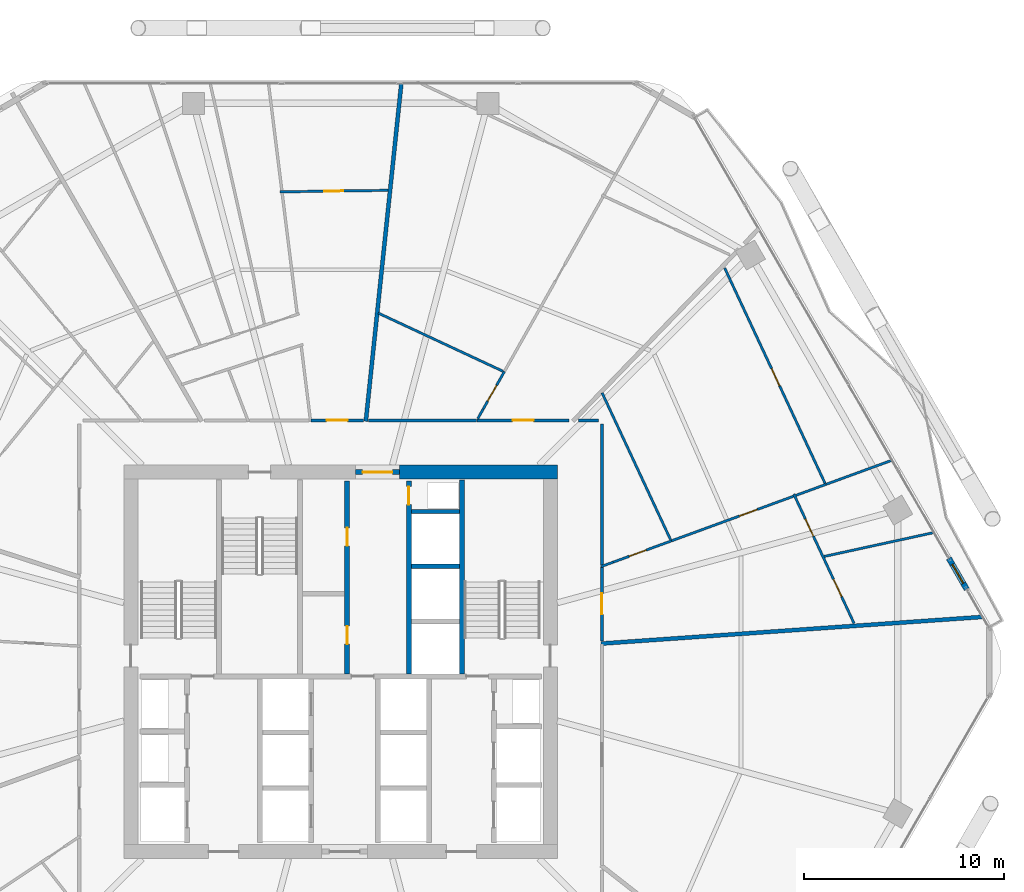
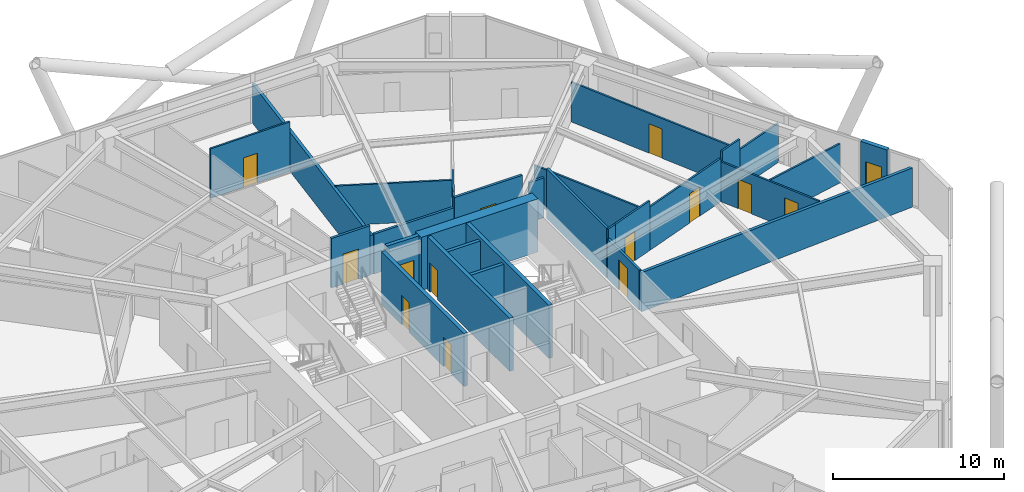
# One storey, part 30 of 34: 29 walls, 15 doors, 15 openings.
"""IFC4 building model written with IfcOpenShell, lengths in metres."""

from ifc_helpers import new_model, si_unit, direction, frame, frame_2d, origin, place, context, subcontext, project, spatial, rectangle, extrude, material, layer, layer_set, type_object, element, fill, save


model = new_model("IFC4")

# Units and contexts
model_context = context("Model", 3, precision=1e-05, world=origin(), true_north=direction((0.0, 1.0)))
body_context = subcontext(model_context, "Body", "Model", "MODEL_VIEW")
ifc_project = project(units=[si_unit("LENGTHUNIT", "METRE"), si_unit("AREAUNIT", "SQUARE_METRE"), si_unit("VOLUMEUNIT", "CUBIC_METRE"), si_unit("PLANEANGLEUNIT", "RADIAN"), si_unit("MASSUNIT", "GRAM", prefix="KILO")], contexts=[model_context])

# Site, building, storey
site_placement = place(None, origin())
site = spatial("IfcSite", under=ifc_project, at=site_placement, CompositionType="ELEMENT")
building_placement = place(site_placement, origin())
building = spatial("IfcBuilding", under=site, at=building_placement, Name="Zuhravey Tower", CompositionType="ELEMENT")
storey_placement = place(building_placement, frame((0.0, 0.0, 100.0)))
storey = spatial("IfcBuildingStorey", under=building, at=storey_placement, Name="L24", CompositionType="ELEMENT", Elevation=100.0)

# Wall
ifc_material_1 = material(Name="Concrete C60/75", Category="concrete")
ifc_layer_1 = layer(ifc_material_1, 0.699951171875)
ifc_layer_set_1 = layer_set([ifc_layer_1], Name="Concrete C60/75")
wall_type_1 = type_object("IfcWallType", Name="Core Shear Wall 700", PredefinedType="SHEAR", material=ifc_layer_set_1)
wall_1_placement = place(storey_placement, frame((46.85009765625, 41.5, 0.0), z_axis=(0.0, 0.0, 1.0), x_axis=(-1.0, 0.0, 0.0)))
element("IfcWall", 1, at=wall_1_placement, inside=storey, type_object=wall_type_1, Name="L24 North-East Core Shear Wall CW70", PredefinedType="SHEAR", context=body_context, shape_type="SweptSolid", body=[
    extrude(rectangle(XDim=7.900146484375, YDim=0.699951171875, at=frame_2d((3.9501953125, 0.0))), origin(), (0.0, 0.0, 1.0), 3.800048828125),
])

# Wall, opening, door
ifc_material_2 = material(Name="Gypsum fire-rated stud partition")
ifc_layer_2 = layer(ifc_material_2, 0.159912109375)
ifc_layer_set_2 = layer_set([ifc_layer_2], Name="Gypsum fire-rated stud partition")
wall_type_2 = type_object("IfcWallType", Name="Corridor Fire Partition 160", PredefinedType="PARTITIONING", material=ifc_layer_set_2)
wall_2_placement = place(storey_placement, frame((49.080078125, 33.049560546875, 0.0), z_axis=(0.0, 0.0, 1.0), x_axis=(0.0, 1.0, 0.0)))
wall_2 = element("IfcWall", 2, at=wall_2_placement, inside=storey, type_object=wall_type_2, Name="L24 IW16 Partition 024", PredefinedType="PARTITIONING", context=body_context, shape_type="SweptSolid", body=[
    extrude(rectangle(XDim=3.71044921875, YDim=0.159912109375, at=frame_2d((1.855224609375, 0.0))), origin(), (0.0, 0.0, 1.0), 2.85009765625),
])
opening_1_placement = place(wall_2_placement, frame((1.330322265625, 0.0, 0.0)))
opening_1 = element("IfcOpeningElement", 3, at=opening_1_placement, cuts=wall_2, Name="Opening APD1", PredefinedType="OPENING", context=body_context, shape_type="SweptSolid", body=[
    extrude(rectangle(XDim=1.050048828125, YDim=2.14990234375, at=frame_2d((0.52490234375, 1.074951171875))), frame((0.0, 0.092041015625, 0.0), z_axis=(0.0, -1.0, 0.0), x_axis=(1.0, 0.0, 0.0)), (0.0, 0.0, 1.0), 0.183837890625),
])
ifc_material_3 = material(Name="Solid-core oak fire-rated leaf")
door_type_1 = type_object("IfcDoorType", Name="Apartment Entrance Fire Door 1050x2150", OperationType="NOTDEFINED", PredefinedType="DOOR", material=ifc_material_3)
door_1_placement = place(opening_1_placement, frame((1.050048828125, 0.0, 0.0), z_axis=(0.0, 0.0, 1.0), x_axis=(-1.0, 0.0, 0.0)))
door_1 = element("IfcDoor", 4, at=door_1_placement, inside=storey, type_object=door_type_1, Name="L24 Door 024.1", OperationType="SINGLE_SWING_LEFT", OverallHeight=2.14990234375, OverallWidth=1.050048828125, PredefinedType="DOOR", context=body_context, shape_type="SweptSolid", body=[
    extrude(rectangle(XDim=1.050048828125, YDim=2.14990234375, at=frame_2d((0.52490234375, 1.074951171875))), frame((0.0, 0.02490234375, 0.0), z_axis=(0.0, -1.0, 0.0), x_axis=(1.0, 0.0, 0.0)), (0.0, 0.0, 1.0), 0.050048828125),
])
fill(opening_1, door_1)

wall_3_placement = place(storey_placement, frame((47.435791015625, 44.080078125, 0.0), z_axis=(0.0, 0.0, 1.0), x_axis=(-1.0, 0.0, 0.0)))
wall_3 = element("IfcWall", 5, at=wall_3_placement, inside=storey, type_object=wall_type_2, Name="L24 IW16 Partition 030", PredefinedType="PARTITIONING", context=body_context, shape_type="SweptSolid", body=[
    extrude(rectangle(XDim=4.594970703125, YDim=0.159912109375, at=frame_2d((2.29736328125, 0.0))), origin(), (0.0, 0.0, 1.0), 3.550048828125),
])
opening_2_placement = place(wall_3_placement, frame((1.7724609375, 0.0, 0.0)))
opening_2 = element("IfcOpeningElement", 6, at=opening_2_placement, cuts=wall_3, Name="Opening APD1", PredefinedType="OPENING", context=body_context, shape_type="SweptSolid", body=[
    extrude(rectangle(XDim=1.050048828125, YDim=2.14990234375, at=frame_2d((0.52490234375, 1.074951171875))), frame((0.0, 0.092041015625, 0.0), z_axis=(0.0, -1.0, 0.0), x_axis=(1.0, 0.0, 0.0)), (0.0, 0.0, 1.0), 0.183837890625),
])
door_2_placement = place(opening_2_placement, frame((1.050048828125, 0.0, 0.0), z_axis=(0.0, 0.0, 1.0), x_axis=(-1.0, 0.0, 0.0)))
door_2 = element("IfcDoor", 7, at=door_2_placement, inside=storey, type_object=door_type_1, Name="L24 Door 030.1", OperationType="SINGLE_SWING_RIGHT", OverallHeight=2.14990234375, OverallWidth=1.050048828125, PredefinedType="DOOR", context=body_context, shape_type="SweptSolid", body=[
    extrude(rectangle(XDim=1.050048828125, YDim=2.14990234375, at=frame_2d((0.52490234375, 1.074951171875))), frame((0.0, 0.02490234375, 0.0), z_axis=(0.0, -1.0, 0.0), x_axis=(1.0, 0.0, 0.0)), (0.0, 0.0, 1.0), 0.050048828125),
])
fill(opening_2, door_2)

wall_4_placement = place(storey_placement, frame((37.14306640625, 44.080078125, 0.0), z_axis=(0.0, 0.0, 1.0), x_axis=(-1.0, 0.0, 0.0)))
wall_4 = element("IfcWall", 8, at=wall_4_placement, inside=storey, type_object=wall_type_2, Name="L24 IW16 Partition 034", PredefinedType="PARTITIONING", context=body_context, shape_type="SweptSolid", body=[
    extrude(rectangle(XDim=2.627685546875, YDim=0.159912109375, at=frame_2d((1.31396484375, 0.0))), origin(), (0.0, 0.0, 1.0), 3.550048828125),
])
opening_3_placement = place(wall_4_placement, frame((0.788818359375, 0.0, 0.0)))
opening_3 = element("IfcOpeningElement", 9, at=opening_3_placement, cuts=wall_4, Name="Opening APD1", PredefinedType="OPENING", context=body_context, shape_type="SweptSolid", body=[
    extrude(rectangle(XDim=1.050048828125, YDim=2.14990234375, at=frame_2d((0.52490234375, 1.074951171875))), frame((0.0, 0.092041015625, 0.0), z_axis=(0.0, -1.0, 0.0), x_axis=(1.0, 0.0, 0.0)), (0.0, 0.0, 1.0), 0.183837890625),
])
door_3_placement = place(opening_3_placement, frame((1.050048828125, 0.0, 0.0), z_axis=(0.0, 0.0, 1.0), x_axis=(-1.0, 0.0, 0.0)))
door_3 = element("IfcDoor", 10, at=door_3_placement, inside=storey, type_object=door_type_1, Name="L24 Door 034.1", OperationType="SINGLE_SWING_RIGHT", OverallHeight=2.14990234375, OverallWidth=1.050048828125, PredefinedType="DOOR", context=body_context, shape_type="SweptSolid", body=[
    extrude(rectangle(XDim=1.050048828125, YDim=2.14990234375, at=frame_2d((0.52490234375, 1.074951171875))), frame((0.0, 0.02490234375, 0.0), z_axis=(0.0, -1.0, 0.0), x_axis=(1.0, 0.0, 0.0)), (0.0, 0.0, 1.0), 0.050048828125),
])
fill(opening_3, door_3)

# Walls
wall_5_placement = place(storey_placement, frame((49.080078125, 36.853759765625, 0.0), z_axis=(0.0, 0.0, 1.0), x_axis=(0.0, 1.0, 0.0)))
element("IfcWall", 11, at=wall_5_placement, inside=storey, type_object=wall_type_2, Name="L24 IW16 Partition 119", PredefinedType="PARTITIONING", context=body_context, shape_type="SweptSolid", body=[
    extrude(rectangle(XDim=7.046142578125, YDim=0.159912109375, at=frame_2d((3.52294921875, 0.0))), origin(), (0.0, 0.0, 1.0), 3.550048828125),
])
wall_6_placement = place(storey_placement, frame((48.89990234375, 44.080078125, 0.0), z_axis=(0.0, 0.0, 1.0), x_axis=(-1.0, 0.0, 0.0)))
element("IfcWall", 12, at=wall_6_placement, inside=storey, type_object=wall_type_2, Name="L24 IW16 Partition 120", PredefinedType="PARTITIONING", context=body_context, shape_type="SweptSolid", body=[
    extrude(rectangle(XDim=1.0009765625, YDim=0.159912109375, at=frame_2d((0.50048828125, 0.0))), origin(), (0.0, 0.0, 1.0), 2.85009765625),
])
wall_7_placement = place(storey_placement, frame((42.794921875, 44.080078125, 0.0), z_axis=(0.0, 0.0, 1.0), x_axis=(-1.0, 0.0, 0.0)))
element("IfcWall", 13, at=wall_7_placement, inside=storey, type_object=wall_type_2, Name="L24 IW16 Partition 121", PredefinedType="PARTITIONING", context=body_context, shape_type="SweptSolid", body=[
    extrude(rectangle(XDim=5.3984375, YDim=0.159912109375, at=frame_2d((2.69921875, 0.0))), origin(), (0.0, 0.0, 1.0), 2.85009765625),
])

# Wall, opening, door
ifc_material_4 = material(Name="Precast concrete C40/50", Category="concrete")
ifc_layer_3 = layer(ifc_material_4, 0.280029296875)
ifc_layer_set_3 = layer_set([ifc_layer_3], Name="Precast concrete C40/50")
wall_type_3 = type_object("IfcWallType", Name="Crown Architectural Wall 280", PredefinedType="SOLIDWALL", material=ifc_layer_set_3)
wall_8_placement = place(storey_placement, frame((66.447509765625, 37.180419921875, 0.0), z_axis=(0.0, 0.0, 1.0), x_axis=(0.499982180423, -0.866035691677, 0.0)))
wall_8 = element("IfcWall", 14, at=wall_8_placement, inside=storey, type_object=wall_type_3, Name="L24 Face 1 Facade Pier EW28-1", PredefinedType="SOLIDWALL", context=body_context, shape_type="SweptSolid", body=[
    extrude(rectangle(XDim=1.7900390625, YDim=0.280029296875, at=frame_2d((0.89501953125, 0.0))), origin(), (0.0, 0.0, 1.0), 3.550048828125),
])
opening_4_placement = place(wall_8_placement, frame((0.344970703125, 0.0, 0.0)))
opening_4 = element("IfcOpeningElement", 15, at=opening_4_placement, cuts=wall_8, Name="Opening BLD1", PredefinedType="OPENING", context=body_context, shape_type="SweptSolid", body=[
    extrude(rectangle(XDim=1.10009765625, YDim=2.199951171875, at=frame_2d((0.550048828125, 1.10009765625))), frame((0.0, 0.152099609375, 0.0), z_axis=(0.0, -1.0, 0.0), x_axis=(1.0, 0.0, 0.0)), (0.0, 0.0, 1.0), 0.303955078125),
])
ifc_material_5 = material(Name="Thermally broken aluminium and low-E glass", Category="aluminium")
door_type_2 = type_object("IfcDoorType", Name="Balcony & Sky-Tray Glazed Door 1100x2200", OperationType="NOTDEFINED", PredefinedType="DOOR", material=ifc_material_5)
door_4_placement = place(opening_4_placement, frame((1.10009765625, 0.0, 0.0), z_axis=(0.0, 0.0, 1.0), x_axis=(-1.0, 0.0, 0.0)))
door_4 = element("IfcDoor", 16, at=door_4_placement, inside=storey, type_object=door_type_2, Name="L24 Face 1 Wave Balcony Door", OperationType="SINGLE_SWING_RIGHT", OverallHeight=2.199951171875, OverallWidth=1.10009765625, PredefinedType="DOOR", context=body_context, shape_type="SweptSolid", body=[
    extrude(rectangle(XDim=1.10009765625, YDim=2.199951171875, at=frame_2d((0.550048828125, 1.10009765625))), frame((0.0, 0.02490234375, 0.0), z_axis=(0.0, -1.0, 0.0), x_axis=(1.0, 0.0, 0.0)), (0.0, 0.0, 1.0), 0.050048828125),
])
fill(opening_4, door_4)

ifc_material_6 = material(Name="Concrete C50/60", Category="concrete")
ifc_layer_4 = layer(ifc_material_6, 0.25)
ifc_layer_set_4 = layer_set([ifc_layer_4], Name="Concrete C50/60")
wall_type_4 = type_object("IfcWallType", Name="Firefighting Shaft & Stair Wall 250", PredefinedType="SOLIDWALL", material=ifc_layer_set_4)
wall_9_placement = place(storey_placement, frame((36.760009765625, 41.5, 0.0), z_axis=(0.0, 0.0, 1.0), x_axis=(1.0, 0.0, 0.0)))
wall_9 = element("IfcWall", 17, at=wall_9_placement, inside=storey, type_object=wall_type_4, Name="L24 FW25 Shaft Wall 002", PredefinedType="SOLIDWALL", context=body_context, shape_type="SweptSolid", body=[
    extrude(rectangle(XDim=2.179931640625, YDim=0.25, at=frame_2d((1.08984375, 0.0))), origin(), (0.0, 0.0, 1.0), 3.800048828125),
])
opening_5_placement = place(wall_9_placement, frame((0.340087890625, 0.0, 0.0)))
opening_5 = element("IfcOpeningElement", 18, at=opening_5_placement, cuts=wall_9, Name="Opening FFD1", PredefinedType="OPENING", context=body_context, shape_type="SweptSolid", body=[
    extrude(rectangle(XDim=1.5, YDim=2.14990234375, at=frame_2d((0.75, 1.074951171875))), frame((0.0, 0.136962890625, 0.0), z_axis=(0.0, -1.0, 0.0), x_axis=(1.0, 0.0, 0.0)), (0.0, 0.0, 1.0), 0.27392578125),
])
ifc_material_7 = material(Name="Galvanised fire-rated steel leaf", Category="steel")
door_type_3 = type_object("IfcDoorType", Name="Firefighting Lobby Double Door 1500x2150", OperationType="DOUBLE_DOOR_SINGLE_SWING", PredefinedType="DOOR", material=ifc_material_7)
door_5_placement = place(opening_5_placement, origin())
door_5 = element("IfcDoor", 19, at=door_5_placement, inside=storey, type_object=door_type_3, Name="L24 North Lift Lobby Exit Door", OperationType="DOUBLE_DOOR_SINGLE_SWING", OverallHeight=2.14990234375, OverallWidth=1.5, PredefinedType="DOOR", context=body_context, shape_type="SweptSolid", body=[
    extrude(rectangle(XDim=1.5, YDim=2.14990234375, at=frame_2d((0.75, 1.074951171875))), frame((0.0, 0.02490234375, 0.0), z_axis=(0.0, -1.0, 0.0), x_axis=(1.0, 0.0, 0.0)), (0.0, 0.0, 1.0), 0.050048828125),
])
fill(opening_5, door_5)

# Wall
wall_10_placement = place(storey_placement, frame((42.074951171875, 31.39990234375, 0.0), z_axis=(0.0, 0.0, 1.0), x_axis=(0.0, 1.0, 0.0)))
element("IfcWall", 20, at=wall_10_placement, inside=storey, type_object=wall_type_4, Name="L24 FW25 Shaft Wall 006", PredefinedType="SOLIDWALL", context=body_context, shape_type="SweptSolid", body=[
    extrude(rectangle(XDim=9.7001953125, YDim=0.25, at=frame_2d((4.85009765625, 0.0))), origin(), (0.0, 0.0, 1.0), 3.800048828125),
])

# Wall, openings, doors
wall_11_placement = place(storey_placement, frame((36.324951171875, 31.39990234375, 0.0), z_axis=(0.0, 0.0, 1.0), x_axis=(0.0, 1.0, 0.0)))
wall_11 = element("IfcWall", 21, at=wall_11_placement, inside=storey, type_object=wall_type_4, Name="L24 FW25 Shaft Wall 007", PredefinedType="SOLIDWALL", context=body_context, shape_type="SweptSolid", body=[
    extrude(rectangle(XDim=9.650146484375, YDim=0.25, at=frame_2d((4.8251953125, 0.0))), origin(), (0.0, 0.0, 1.0), 3.800048828125),
])
opening_6_placement = place(wall_11_placement, frame((1.489990234375, 0.0, 0.0)))
opening_6 = element("IfcOpeningElement", 22, at=opening_6_placement, cuts=wall_11, Name="Opening RSD1", PredefinedType="OPENING", context=body_context, shape_type="SweptSolid", body=[
    extrude(rectangle(XDim=0.89990234375, YDim=2.10009765625, at=frame_2d((0.449951171875, 1.050048828125))), frame((0.0, 0.136962890625, 0.0), z_axis=(0.0, -1.0, 0.0), x_axis=(1.0, 0.0, 0.0)), (0.0, 0.0, 1.0), 0.27392578125),
])
opening_7_placement = place(wall_11_placement, frame((6.409912109375, 0.0, 0.0)))
opening_7 = element("IfcOpeningElement", 23, at=opening_7_placement, cuts=wall_11, Name="Opening RSD1", PredefinedType="OPENING", context=body_context, shape_type="SweptSolid", body=[
    extrude(rectangle(XDim=0.89990234375, YDim=2.10009765625, at=frame_2d((0.449951171875, 1.050048828125))), frame((0.0, 0.136962890625, 0.0), z_axis=(0.0, -1.0, 0.0), x_axis=(1.0, 0.0, 0.0)), (0.0, 0.0, 1.0), 0.27392578125),
])
ifc_material_8 = material(Name="Galvanised fire-rated steel access leaf", Category="steel")
door_type_4 = type_object("IfcDoorType", Name="Riser & Shaft Access Fire Door 900x2100", OperationType="NOTDEFINED", PredefinedType="DOOR", material=ifc_material_8)
door_6_placement = place(opening_6_placement, origin())
door_6 = element("IfcDoor", 24, at=door_6_placement, inside=storey, type_object=door_type_4, Name="L24 Core Cleaner Store Door", OperationType="SINGLE_SWING_RIGHT", OverallHeight=2.10009765625, OverallWidth=0.89990234375, PredefinedType="DOOR", context=body_context, shape_type="SweptSolid", body=[
    extrude(rectangle(XDim=0.89990234375, YDim=2.10009765625, at=frame_2d((0.449951171875, 1.050048828125))), frame((0.0, 0.02490234375, 0.0), z_axis=(0.0, -1.0, 0.0), x_axis=(1.0, 0.0, 0.0)), (0.0, 0.0, 1.0), 0.050048828125),
])
fill(opening_6, door_6)
door_7_placement = place(opening_7_placement, origin())
door_7 = element("IfcDoor", 25, at=door_7_placement, inside=storey, type_object=door_type_4, Name="L24 Core Pantry and Tea Room Door", OperationType="SINGLE_SWING_LEFT", OverallHeight=2.10009765625, OverallWidth=0.89990234375, PredefinedType="DOOR", context=body_context, shape_type="SweptSolid", body=[
    extrude(rectangle(XDim=0.89990234375, YDim=2.10009765625, at=frame_2d((0.449951171875, 1.050048828125))), frame((0.0, 0.02490234375, 0.0), z_axis=(0.0, -1.0, 0.0), x_axis=(1.0, 0.0, 0.0)), (0.0, 0.0, 1.0), 0.050048828125),
])
fill(opening_7, door_7)

# Wall, opening, door
wall_12_placement = place(storey_placement, frame((39.425048828125, 31.39990234375, 0.0), z_axis=(0.0, 0.0, 1.0), x_axis=(0.0, 1.0, 0.0)))
wall_12 = element("IfcWall", 26, at=wall_12_placement, inside=storey, type_object=wall_type_4, Name="L24 FW25 Shaft Wall 008", PredefinedType="SOLIDWALL", context=body_context, shape_type="SweptSolid", body=[
    extrude(rectangle(XDim=9.650146484375, YDim=0.25, at=frame_2d((4.8251953125, 0.0))), origin(), (0.0, 0.0, 1.0), 3.800048828125),
])
opening_8_placement = place(wall_12_placement, frame((8.469970703125, 0.0, 0.0)))
opening_8 = element("IfcOpeningElement", 27, at=opening_8_placement, cuts=wall_12, Name="Opening RSD1", PredefinedType="OPENING", context=body_context, shape_type="SweptSolid", body=[
    extrude(rectangle(XDim=0.89990234375, YDim=2.10009765625, at=frame_2d((0.449951171875, 1.050048828125))), frame((0.0, 0.136962890625, 0.0), z_axis=(0.0, -1.0, 0.0), x_axis=(1.0, 0.0, 0.0)), (0.0, 0.0, 1.0), 0.27392578125),
])
door_8_placement = place(opening_8_placement, origin())
door_8 = element("IfcDoor", 28, at=door_8_placement, inside=storey, type_object=door_type_4, Name="L24 North Riser Door", OperationType="SINGLE_SWING_RIGHT", OverallHeight=2.10009765625, OverallWidth=0.89990234375, PredefinedType="DOOR", context=body_context, shape_type="SweptSolid", body=[
    extrude(rectangle(XDim=0.89990234375, YDim=2.10009765625, at=frame_2d((0.449951171875, 1.050048828125))), frame((0.0, 0.02490234375, 0.0), z_axis=(0.0, -1.0, 0.0), x_axis=(1.0, 0.0, 0.0)), (0.0, 0.0, 1.0), 0.050048828125),
])
fill(opening_8, door_8)

# Walls
ifc_material_9 = material(Name="Gypsum double-stud party assembly")
ifc_layer_5 = layer(ifc_material_9, 0.199951171875)
ifc_layer_set_5 = layer_set([ifc_layer_5], Name="Gypsum double-stud party assembly")
wall_type_5 = type_object("IfcWallType", Name="Inter-Tenancy Party Wall 200", PredefinedType="PARTITIONING", material=ifc_layer_set_5)
wall_13_placement = place(storey_placement, frame((49.0400390625, 32.911865234375, 0.0), z_axis=(0.0, 0.0, 1.0), x_axis=(0.99756386753, 0.069759086856, 0.0)))
element("IfcWall", 29, at=wall_13_placement, inside=storey, type_object=wall_type_5, Name="L24 IW20 Partition 070", PredefinedType="PARTITIONING", context=body_context, shape_type="SweptSolid", body=[
    extrude(rectangle(XDim=19.147216796875, YDim=0.199951171875, at=frame_2d((9.57373046875, 0.0))), origin(), (0.0, 0.0, 1.0), 2.800048828125),
])
wall_14_placement = place(storey_placement, frame((37.265380859375, 44.0400390625, 0.0), z_axis=(0.0, 0.0, 1.0), x_axis=(0.104535371824, 0.994521169226, 0.0)))
element("IfcWall", 30, at=wall_14_placement, inside=storey, type_object=wall_type_5, Name="L24 IW20 Partition 081", PredefinedType="PARTITIONING", context=body_context, shape_type="SweptSolid", body=[
    extrude(rectangle(XDim=17.01171875, YDim=0.199951171875, at=frame_2d((8.505859375, 0.0))), origin(), (0.0, 0.0, 1.0), 2.800048828125),
])
ifc_material_10 = material(Name="Gypsum acoustic stud assembly")
ifc_layer_6 = layer(ifc_material_10, 0.219970703125)
ifc_layer_set_6 = layer_set([ifc_layer_6], Name="Gypsum acoustic stud assembly")
wall_type_6 = type_object("IfcWallType", Name="School Acoustic Compartment Wall 220", PredefinedType="PARTITIONING", material=ifc_layer_set_6)
for number, where, z_axis, x_axis, name in (
    (31, (39.55810546875, 36.77490234375, 0.0), (0.0, 0.0, 1.0), (1.0, 0.0, 0.0), "L24 IW22 Partition 064"),
    (32, (39.55810546875, 39.52490234375, 0.0), (0.0, 0.0, 1.0), (1.0, 0.0, 0.0), "L24 IW22 Partition 065"),
):
    element("IfcWall", number, at=place(storey_placement, frame(where, z_axis=z_axis, x_axis=x_axis)), inside=storey, type_object=wall_type_6, Name=name, PredefinedType="PARTITIONING", context=body_context, shape_type="SweptSolid", body=[
        extrude(rectangle(XDim=2.3837890625, YDim=0.219970703125, at=frame_2d((1.19189453125, 0.0))), origin(), (0.0, 0.0, 1.0), 3.550048828125),
    ])

# Wall, openings, doors
ifc_material_11 = material(Name="Gypsum metal-stud partition")
ifc_layer_7 = layer(ifc_material_11, 0.1201171875)
ifc_layer_set_7 = layer_set([ifc_layer_7], Name="Gypsum metal-stud partition")
wall_type_7 = type_object("IfcWallType", Name="Unit Internal Partition 120", PredefinedType="PARTITIONING", material=ifc_layer_set_7)
wall_15_placement = place(storey_placement, frame((61.703857421875, 33.922607421875, 0.0), z_axis=(0.0, 0.0, 1.0), x_axis=(-0.42261048954, 0.906311411233, 0.0)))
wall_15 = element("IfcWall", 33, at=wall_15_placement, inside=storey, type_object=wall_type_7, Name="L24 IW12 Partition 019", PredefinedType="PARTITIONING", context=body_context, shape_type="SweptSolid", body=[
    extrude(rectangle(XDim=7.1455078125, YDim=0.1201171875, at=frame_2d((3.57275390625, 0.0))), origin(), (0.0, 0.0, 1.0), 2.85009765625),
])
opening_9_placement = place(wall_15_placement, frame((1.486328125, 0.0, 0.0)))
opening_9 = element("IfcOpeningElement", 34, at=opening_9_placement, cuts=wall_15, Name="Opening IND1", PredefinedType="OPENING", context=body_context, shape_type="SweptSolid", body=[
    extrude(rectangle(XDim=0.949951171875, YDim=2.10009765625, at=frame_2d((0.47509765625, 1.050048828125))), frame((0.0, 0.072021484375, 0.0), z_axis=(0.0, -1.0, 0.0), x_axis=(1.0, 0.0, 0.0)), (0.0, 0.0, 1.0), 0.14404296875),
])
opening_10_placement = place(wall_15_placement, frame((4.81640625, 0.0, 0.0)))
opening_10 = element("IfcOpeningElement", 35, at=opening_10_placement, cuts=wall_15, Name="Opening IND1", PredefinedType="OPENING", context=body_context, shape_type="SweptSolid", body=[
    extrude(rectangle(XDim=0.949951171875, YDim=2.10009765625, at=frame_2d((0.47509765625, 1.050048828125))), frame((0.0, 0.072021484375, 0.0), z_axis=(0.0, -1.0, 0.0), x_axis=(1.0, 0.0, 0.0)), (0.0, 0.0, 1.0), 0.14404296875),
])
ifc_material_12 = material(Name="Painted engineered timber leaf", Category="wood")
door_type_5 = type_object("IfcDoorType", Name="Internal Room & Bedroom Door 950x2100", OperationType="NOTDEFINED", PredefinedType="DOOR", material=ifc_material_12)
door_9_placement = place(opening_9_placement, frame((0.949951171875, 0.0, 0.0), z_axis=(0.0, 0.0, 1.0), x_axis=(-1.0, 0.0, 0.0)))
door_9 = element("IfcDoor", 36, at=door_9_placement, inside=storey, type_object=door_type_5, Name="Apartment L24-01 Family Study Door", OperationType="SINGLE_SWING_RIGHT", OverallHeight=2.10009765625, OverallWidth=0.949951171875, PredefinedType="DOOR", context=body_context, shape_type="SweptSolid", body=[
    extrude(rectangle(XDim=0.949951171875, YDim=2.10009765625, at=frame_2d((0.47509765625, 1.050048828125))), frame((0.0, 0.02490234375, 0.0), z_axis=(0.0, -1.0, 0.0), x_axis=(1.0, 0.0, 0.0)), (0.0, 0.0, 1.0), 0.050048828125),
])
fill(opening_9, door_9)
door_10_placement = place(opening_10_placement, frame((0.949951171875, 0.0, 0.0), z_axis=(0.0, 0.0, 1.0), x_axis=(-1.0, 0.0, 0.0)))
door_10 = element("IfcDoor", 37, at=door_10_placement, inside=storey, type_object=door_type_5, Name="Apartment L24-01 Dining Room Door", OperationType="SINGLE_SWING_LEFT", OverallHeight=2.10009765625, OverallWidth=0.949951171875, PredefinedType="DOOR", context=body_context, shape_type="SweptSolid", body=[
    extrude(rectangle(XDim=0.949951171875, YDim=2.10009765625, at=frame_2d((0.47509765625, 1.050048828125))), frame((0.0, 0.02490234375, 0.0), z_axis=(0.0, -1.0, 0.0), x_axis=(1.0, 0.0, 0.0)), (0.0, 0.0, 1.0), 0.050048828125),
])
fill(opening_10, door_10)

# Wall, opening, door
wall_16_placement = place(storey_placement, frame((49.64990234375, 36.98974609375, 0.0), z_axis=(0.0, 0.0, 1.0), x_axis=(0.93920992581, 0.343343436314, 0.0)))
wall_16 = element("IfcWall", 38, at=wall_16_placement, inside=storey, type_object=wall_type_7, Name="L24 IW12 Partition 020", PredefinedType="PARTITIONING", context=body_context, shape_type="SweptSolid", body=[
    extrude(rectangle(XDim=3.110107421875, YDim=0.1201171875, at=frame_2d((1.55517578125, 0.0))), origin(), (0.0, 0.0, 1.0), 3.550048828125),
])
opening_11_placement = place(wall_16_placement, frame((0.856201171875, 0.0, 0.0)))
opening_11 = element("IfcOpeningElement", 39, at=opening_11_placement, cuts=wall_16, Name="Opening WCD1", PredefinedType="OPENING", context=body_context, shape_type="SweptSolid", body=[
    extrude(rectangle(XDim=0.89990234375, YDim=2.10009765625, at=frame_2d((0.449951171875, 1.050048828125))), frame((0.0, 0.072021484375, 0.0), z_axis=(0.0, -1.0, 0.0), x_axis=(1.0, 0.0, 0.0)), (0.0, 0.0, 1.0), 0.14404296875),
])
ifc_material_13 = material(Name="Moisture-resistant timber leaf", Category="wood")
door_type_6 = type_object("IfcDoorType", Name="Bathroom & WC Internal Door 900x2100", OperationType="NOTDEFINED", PredefinedType="DOOR", material=ifc_material_13)
door_11_placement = place(opening_11_placement, origin())
door_11 = element("IfcDoor", 40, at=door_11_placement, inside=storey, type_object=door_type_6, Name="Apartment L24-01 Bathroom Door", OperationType="SINGLE_SWING_RIGHT", OverallHeight=2.10009765625, OverallWidth=0.89990234375, PredefinedType="DOOR", context=body_context, shape_type="SweptSolid", body=[
    extrude(rectangle(XDim=0.89990234375, YDim=2.10009765625, at=frame_2d((0.449951171875, 1.050048828125))), frame((0.0, 0.02490234375, 0.0), z_axis=(0.0, -1.0, 0.0), x_axis=(1.0, 0.0, 0.0)), (0.0, 0.0, 1.0), 0.050048828125),
])
fill(opening_11, door_11)

wall_17_placement = place(storey_placement, frame((52.571044921875, 38.0576171875, 0.0), z_axis=(0.0, 0.0, 1.0), x_axis=(0.93922057819, 0.343314295515, 0.0)))
wall_17 = element("IfcWall", 41, at=wall_17_placement, inside=storey, type_object=wall_type_7, Name="L24 IW12 Partition 021", PredefinedType="PARTITIONING", context=body_context, shape_type="SweptSolid", body=[
    extrude(rectangle(XDim=6.485595703125, YDim=0.1201171875, at=frame_2d((3.24267578125, 0.0))), origin(), (0.0, 0.0, 1.0), 3.10009765625),
])
opening_12_placement = place(wall_17_placement, frame((3.61572265625, 0.0, 0.0)))
opening_12 = element("IfcOpeningElement", 42, at=opening_12_placement, cuts=wall_17, Name="Opening IND1", PredefinedType="OPENING", context=body_context, shape_type="SweptSolid", body=[
    extrude(rectangle(XDim=0.949951171875, YDim=2.10009765625, at=frame_2d((0.47509765625, 1.050048828125))), frame((0.0, 0.072021484375, 0.0), z_axis=(0.0, -1.0, 0.0), x_axis=(1.0, 0.0, 0.0)), (0.0, 0.0, 1.0), 0.14404296875),
])
door_12_placement = place(opening_12_placement, origin())
door_12 = element("IfcDoor", 43, at=door_12_placement, inside=storey, type_object=door_type_5, Name="Apartment L24-01 Home Office Door", OperationType="SINGLE_SWING_LEFT", OverallHeight=2.10009765625, OverallWidth=0.949951171875, PredefinedType="DOOR", context=body_context, shape_type="SweptSolid", body=[
    extrude(rectangle(XDim=0.949951171875, YDim=2.10009765625, at=frame_2d((0.47509765625, 1.050048828125))), frame((0.0, 0.02490234375, 0.0), z_axis=(0.0, -1.0, 0.0), x_axis=(1.0, 0.0, 0.0)), (0.0, 0.0, 1.0), 0.050048828125),
])
fill(opening_12, door_12)

# Wall
wall_18_placement = place(storey_placement, frame((58.79052734375, 40.3310546875, 0.0), z_axis=(0.0, 0.0, 1.0), x_axis=(0.93917179076, 0.343447736114, 0.0)))
element("IfcWall", 44, at=wall_18_placement, inside=storey, type_object=wall_type_7, Name="L24 IW12 Partition 022", PredefinedType="PARTITIONING", context=body_context, shape_type="SweptSolid", body=[
    extrude(rectangle(XDim=1.609375, YDim=0.1201171875, at=frame_2d((0.8046875, 0.0))), origin(), (0.0, 0.0, 1.0), 3.550048828125),
])

# Wall, opening, door
wall_19_placement = place(storey_placement, frame((60.249755859375, 40.93701171875, 0.0), z_axis=(0.0, 0.0, 1.0), x_axis=(-0.42261779654, 0.906308003963, 0.0)))
wall_19 = element("IfcWall", 45, at=wall_19_placement, inside=storey, type_object=wall_type_7, Name="L24 IW12 Partition 023", PredefinedType="PARTITIONING", context=body_context, shape_type="SweptSolid", body=[
    extrude(rectangle(XDim=11.884765625, YDim=0.1201171875, at=frame_2d((5.9423828125, 0.0))), origin(), (0.0, 0.0, 1.0), 2.85009765625),
])
opening_13_placement = place(wall_19_placement, frame((5.383056640625, 0.0, 0.0)))
opening_13 = element("IfcOpeningElement", 46, at=opening_13_placement, cuts=wall_19, Name="Opening IND1", PredefinedType="OPENING", context=body_context, shape_type="SweptSolid", body=[
    extrude(rectangle(XDim=0.949951171875, YDim=2.10009765625, at=frame_2d((0.47509765625, 1.050048828125))), frame((0.0, 0.072021484375, 0.0), z_axis=(0.0, -1.0, 0.0), x_axis=(1.0, 0.0, 0.0)), (0.0, 0.0, 1.0), 0.14404296875),
])
door_13_placement = place(opening_13_placement, frame((0.949951171875, 0.0, 0.0), z_axis=(0.0, 0.0, 1.0), x_axis=(-1.0, 0.0, 0.0)))
door_13 = element("IfcDoor", 47, at=door_13_placement, inside=storey, type_object=door_type_5, Name="Apartment L24-01 Bedroom 1 Door", OperationType="SINGLE_SWING_RIGHT", OverallHeight=2.10009765625, OverallWidth=0.949951171875, PredefinedType="DOOR", context=body_context, shape_type="SweptSolid", body=[
    extrude(rectangle(XDim=0.949951171875, YDim=2.10009765625, at=frame_2d((0.47509765625, 1.050048828125))), frame((0.0, 0.02490234375, 0.0), z_axis=(0.0, -1.0, 0.0), x_axis=(1.0, 0.0, 0.0)), (0.0, 0.0, 1.0), 0.050048828125),
])
fill(opening_13, door_13)

wall_20_placement = place(storey_placement, frame((43.139404296875, 44.64990234375, 0.0), z_axis=(0.0, 0.0, 1.0), x_axis=(0.491544748093, 0.870852318492, 0.0)))
wall_20 = element("IfcWall", 48, at=wall_20_placement, inside=storey, type_object=wall_type_7, Name="L24 IW12 Partition 026", PredefinedType="PARTITIONING", context=body_context, shape_type="SweptSolid", body=[
    extrude(rectangle(XDim=2.16650390625, YDim=0.1201171875, at=frame_2d((1.083251953125, 0.0))), origin(), (0.0, 0.0, 1.0), 3.550048828125),
])
opening_14_placement = place(wall_20_placement, frame((0.459716796875, 0.0, 0.0)))
opening_14 = element("IfcOpeningElement", 49, at=opening_14_placement, cuts=wall_20, Name="Opening WCD1", PredefinedType="OPENING", context=body_context, shape_type="SweptSolid", body=[
    extrude(rectangle(XDim=0.89990234375, YDim=2.10009765625, at=frame_2d((0.449951171875, 1.050048828125))), frame((0.0, 0.072021484375, 0.0), z_axis=(0.0, -1.0, 0.0), x_axis=(1.0, 0.0, 0.0)), (0.0, 0.0, 1.0), 0.14404296875),
])
door_14_placement = place(opening_14_placement, origin())
door_14 = element("IfcDoor", 50, at=door_14_placement, inside=storey, type_object=door_type_6, Name="Apartment L24-02 Bathroom Door", OperationType="SINGLE_SWING_LEFT", OverallHeight=2.10009765625, OverallWidth=0.89990234375, PredefinedType="DOOR", context=body_context, shape_type="SweptSolid", body=[
    extrude(rectangle(XDim=0.89990234375, YDim=2.10009765625, at=frame_2d((0.449951171875, 1.050048828125))), frame((0.0, 0.02490234375, 0.0), z_axis=(0.0, -1.0, 0.0), x_axis=(1.0, 0.0, 0.0)), (0.0, 0.0, 1.0), 0.050048828125),
])
fill(opening_14, door_14)

wall_21_placement = place(storey_placement, frame((38.372802734375, 55.599609375, 0.0), z_axis=(0.0, 0.0, 1.0), x_axis=(-0.999902567538, -0.01395906268, 0.0)))
wall_21 = element("IfcWall", 51, at=wall_21_placement, inside=storey, type_object=wall_type_7, Name="L24 IW12 Partition 031", PredefinedType="PARTITIONING", context=body_context, shape_type="SweptSolid", body=[
    extrude(rectangle(XDim=5.404296875, YDim=0.1201171875, at=frame_2d((2.7021484375, 0.0))), origin(), (0.0, 0.0, 1.0), 3.550048828125),
])
opening_15_placement = place(wall_21_placement, frame((2.22705078125, 0.0, 0.0)))
opening_15 = element("IfcOpeningElement", 52, at=opening_15_placement, cuts=wall_21, Name="Opening IND1", PredefinedType="OPENING", context=body_context, shape_type="SweptSolid", body=[
    extrude(rectangle(XDim=0.949951171875, YDim=2.10009765625, at=frame_2d((0.47509765625, 1.050048828125))), frame((0.0, 0.072021484375, 0.0), z_axis=(0.0, -1.0, 0.0), x_axis=(1.0, 0.0, 0.0)), (0.0, 0.0, 1.0), 0.14404296875),
])
door_15_placement = place(opening_15_placement, frame((0.949951171875, 0.0, 0.0), z_axis=(0.0, 0.0, 1.0), x_axis=(-1.0, 0.0, 0.0)))
door_15 = element("IfcDoor", 53, at=door_15_placement, inside=storey, type_object=door_type_5, Name="Apartment L24-03 Family Study Door", OperationType="SINGLE_SWING_LEFT", OverallHeight=2.10009765625, OverallWidth=0.949951171875, PredefinedType="DOOR", context=body_context, shape_type="SweptSolid", body=[
    extrude(rectangle(XDim=0.949951171875, YDim=2.10009765625, at=frame_2d((0.47509765625, 1.050048828125))), frame((0.0, 0.02490234375, 0.0), z_axis=(0.0, -1.0, 0.0), x_axis=(1.0, 0.0, 0.0)), (0.0, 0.0, 1.0), 0.050048828125),
])
fill(opening_15, door_15)

# Walls
wall_22_placement = place(storey_placement, frame((60.21533203125, 37.275390625, 0.0), z_axis=(0.0, 0.0, 1.0), x_axis=(0.977079889422, 0.212872942592, 0.0)))
element("IfcWall", 54, at=wall_22_placement, inside=storey, type_object=wall_type_7, Name="L24 IW12 Partition 071", PredefinedType="PARTITIONING", context=body_context, shape_type="SweptSolid", body=[
    extrude(rectangle(XDim=5.647216796875, YDim=0.1201171875, at=frame_2d((2.82373046875, 0.0))), origin(), (0.0, 0.0, 1.0), 2.800048828125),
])
wall_23_placement = place(storey_placement, frame((49.03662109375, 36.765380859375, 0.0), z_axis=(0.0, 0.0, 1.0), x_axis=(0.939125794288, 0.343573489232, 0.0)))
element("IfcWall", 55, at=wall_23_placement, inside=storey, type_object=wall_type_7, Name="L24 IW12 Partition 072", PredefinedType="PARTITIONING", context=body_context, shape_type="SweptSolid", body=[
    extrude(rectangle(XDim=0.653076171875, YDim=0.1201171875, at=frame_2d((0.32666015625, 0.0))), origin(), (0.0, 0.0, 1.0), 3.550048828125),
])
wall_24_placement = place(storey_placement, frame((60.302001953125, 40.8837890625, 0.0), z_axis=(0.0, 0.0, 1.0), x_axis=(0.939220300938, 0.343315054005, 0.0)))
element("IfcWall", 56, at=wall_24_placement, inside=storey, type_object=wall_type_7, Name="L24 IW12 Partition 073", PredefinedType="PARTITIONING", context=body_context, shape_type="SweptSolid", body=[
    extrude(rectangle(XDim=3.52783203125, YDim=0.1201171875, at=frame_2d((1.763916015625, 0.0))), origin(), (0.0, 0.0, 1.0), 2.800048828125),
])
wall_25_placement = place(storey_placement, frame((52.518798828125, 38.11083984375, 0.0), z_axis=(0.0, 0.0, 1.0), x_axis=(-0.422610316209, 0.906311492057, 0.0)))
element("IfcWall", 57, at=wall_25_placement, inside=storey, type_object=wall_type_7, Name="L24 IW12 Partition 074", PredefinedType="PARTITIONING", context=body_context, shape_type="SweptSolid", body=[
    extrude(rectangle(XDim=8.112548828125, YDim=0.1201171875, at=frame_2d((4.05615234375, 0.0))), origin(), (0.0, 0.0, 1.0), 2.85009765625),
])
wall_26_placement = place(storey_placement, frame((42.867431640625, 44.16796875, 0.0), z_axis=(0.0, 0.0, 1.0), x_axis=(0.491475647569, 0.870891318045, 0.0)))
element("IfcWall", 58, at=wall_26_placement, inside=storey, type_object=wall_type_7, Name="L24 IW12 Partition 077", PredefinedType="PARTITIONING", context=body_context, shape_type="SweptSolid", body=[
    extrude(rectangle(XDim=0.553466796875, YDim=0.1201171875, at=frame_2d((0.27685546875, 0.0))), origin(), (0.0, 0.0, 1.0), 3.550048828125),
])
wall_27_placement = place(storey_placement, frame((44.130126953125, 46.54345703125, 0.0), z_axis=(0.0, 0.0, 1.0), x_axis=(-0.90630173442, 0.422631241376, 0.0)))
element("IfcWall", 59, at=wall_27_placement, inside=storey, type_object=wall_type_7, Name="L24 IW12 Partition 079", PredefinedType="PARTITIONING", context=body_context, shape_type="SweptSolid", body=[
    extrude(rectangle(XDim=6.887451171875, YDim=0.1201171875, at=frame_2d((3.44384765625, 0.0))), origin(), (0.0, 0.0, 1.0), 2.85009765625),
])

save(model, "model.ifc")
